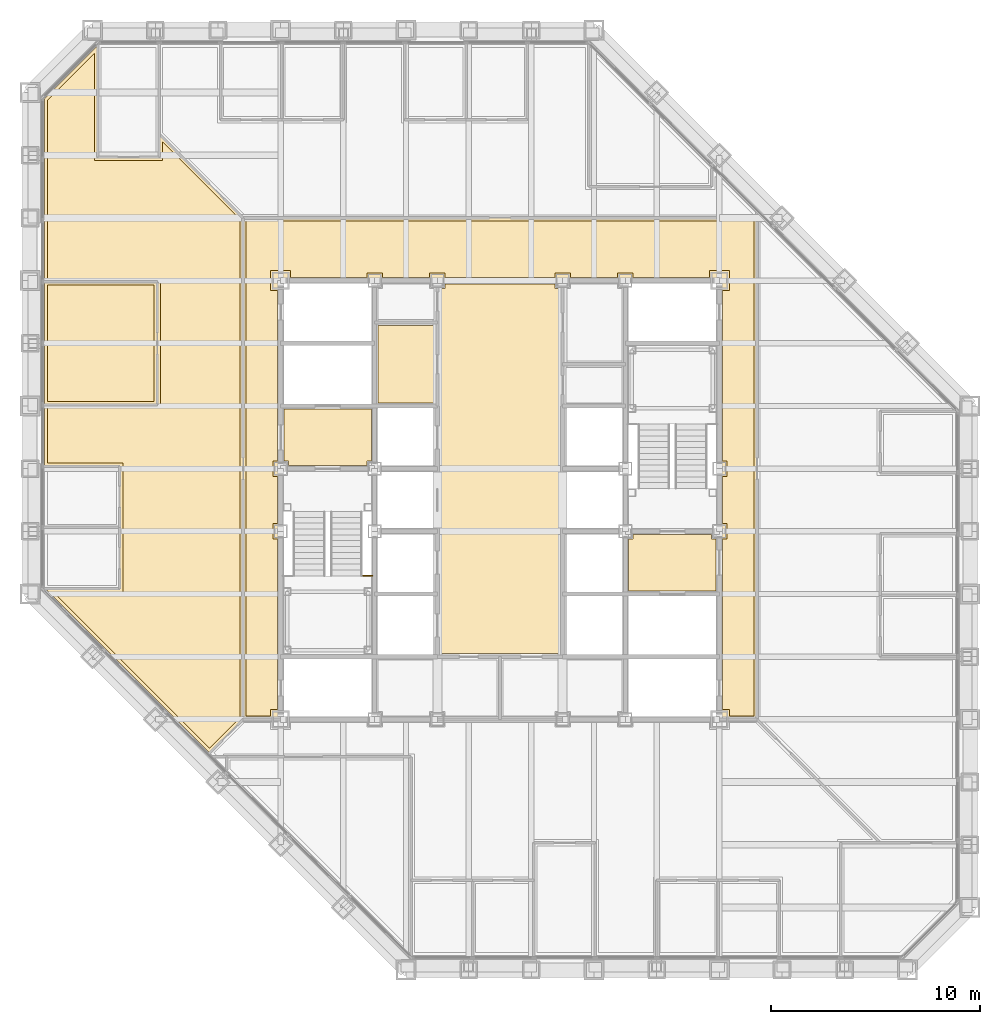
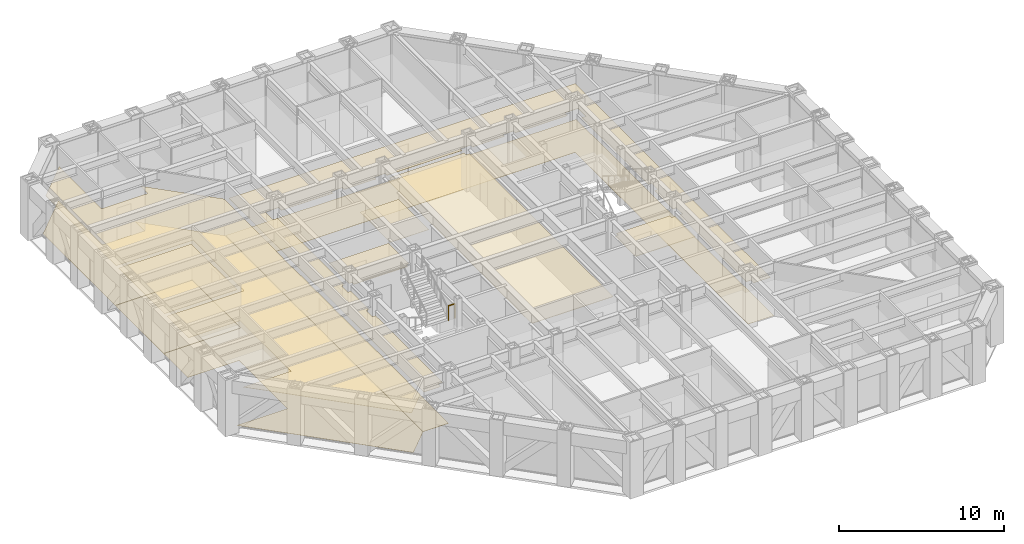
# One storey, part 15 of 17: 10 coverings, 1 railing.
"""IFC4 building model written with IfcOpenShell, lengths in metres."""

from ifc_helpers import new_model, si_unit, direction, frame, origin, origin_2d, place, context, subcontext, project, spatial, polyline, circle, outline, extrude, material, layer, layer_set, type_object, element, save


model = new_model("IFC4")

# Units and contexts
model_context = context("Model", 3, precision=1e-05, world=origin(), true_north=direction((0.0, 1.0)))
body_context = subcontext(model_context, "Body", "Model", "MODEL_VIEW")
ifc_project = project(units=[si_unit("LENGTHUNIT", "METRE"), si_unit("AREAUNIT", "SQUARE_METRE"), si_unit("VOLUMEUNIT", "CUBIC_METRE"), si_unit("PLANEANGLEUNIT", "RADIAN"), si_unit("MASSUNIT", "GRAM", prefix="KILO")], contexts=[model_context])

# Site, building, storey
site_placement = place(None, origin())
site = spatial("IfcSite", under=ifc_project, at=site_placement, CompositionType="ELEMENT")
building_placement = place(site_placement, origin())
building = spatial("IfcBuilding", under=site, at=building_placement, Name="Chuquiago Exchange Tower", CompositionType="ELEMENT")
storey_placement = place(building_placement, frame((0.0, 0.0, 165.60009765625)))
storey = spatial("IfcBuildingStorey", under=building, at=storey_placement, Name="L36", CompositionType="ELEMENT", Elevation=165.60009765625)

# Coverings
ifc_material_1 = material(Name="Mineral fibre tile, 600 x 600, on pale metal grid", Category="mineral fibre")
ifc_layer_1 = layer(ifc_material_1, 0.02001953125)
ifc_layer_set_1 = layer_set([ifc_layer_1], Name="CL1 suspended tile ceiling 20")
covering_type_1 = type_object("IfcCoveringType", Name="CL1 suspended tile ceiling 20", PredefinedType="CEILING", material=ifc_layer_set_1)
covering_1_placement = place(storey_placement, frame((0.0, 0.0, 2.7998046875)))
element("IfcCovering", 1, at=covering_1_placement, inside=storey, type_object=covering_type_1, Name="Ceiling Meeting room", PredefinedType="CEILING", context=body_context, shape_type="SweptSolid", body=[
    extrude(outline(polyline([(5.949951171875, 32.787841796875), (5.949951171875, 27.212158203125), (0.85009765625, 27.212158203125), (0.85009765625, 32.787841796875), (5.949951171875, 32.787841796875)])), origin(), (0.0, 0.0, 1.0), 0.02001953125),
])
covering_2_placement = place(storey_placement, frame((0.0, 0.0, 2.7998046875)))
element("IfcCovering", 2, at=covering_2_placement, inside=storey, type_object=covering_type_1, Name="Ceiling Circulation corridor", PredefinedType="CEILING", context=body_context, shape_type="SweptSolid", body=[
    extrude(outline(polyline([(10.35009765625, 12.14990234375), (10.35009765625, 35.85009765625), (34.64990234375, 35.85009765625), (34.64990234375, 12.14990234375), (33.47509765625, 12.14990234375), (33.47509765625, 12.47509765625), (33.14990234375, 12.47509765625), (33.14990234375, 20.625), (33.375, 20.625), (33.375, 21.375), (33.14990234375, 21.375), (33.14990234375, 23.625), (33.375, 23.625), (33.375, 24.375), (33.14990234375, 24.375), (33.14990234375, 32.52490234375), (33.47509765625, 32.52490234375), (33.47509765625, 33.47509765625), (32.52490234375, 33.47509765625), (32.52490234375, 33.14990234375), (28.875, 33.14990234375), (28.875, 33.375), (28.125, 33.375), (28.125, 33.14990234375), (25.875, 33.14990234375), (25.875, 33.375), (25.125, 33.375), (25.125, 33.14990234375), (19.875, 33.14990234375), (19.875, 33.375), (19.125, 33.375), (19.125, 33.14990234375), (16.875, 33.14990234375), (16.875, 33.375), (16.125, 33.375), (16.125, 33.14990234375), (12.47509765625, 33.14990234375), (12.47509765625, 33.47509765625), (11.52490234375, 33.47509765625), (11.52490234375, 32.52490234375), (11.85009765625, 32.52490234375), (11.85009765625, 24.375), (11.625, 24.375), (11.625, 23.625), (11.85009765625, 23.625), (11.85009765625, 21.375), (11.625, 21.375), (11.625, 20.625), (11.85009765625, 20.625), (11.85009765625, 12.47509765625), (11.52490234375, 12.47509765625), (11.52490234375, 12.14990234375), (10.35009765625, 12.14990234375)])), origin(), (0.0, 0.0, 1.0), 0.02001953125),
])
covering_3_placement = place(storey_placement, frame((0.0, 0.0, 2.7998046875)))
element("IfcCovering", 3, at=covering_3_placement, inside=storey, type_object=covering_type_1, Name="Ceiling Open office west", PredefinedType="CEILING", context=body_context, shape_type="SweptSolid", body=[
    extrude(outline(polyline([(3.098388671875, 38.75), (6.33642578125, 38.75), (6.33642578125, 39.65087890625), (10.050048828125, 35.9375), (10.050048828125, 12.0625), (8.594482421875, 10.607421875), (1.103515625, 18.098388671875), (4.449951171875, 18.098388671875), (4.449951171875, 24.2744140625), (0.85009765625, 24.2744140625), (0.85009765625, 26.912109375), (6.25, 26.912109375), (6.25, 33.087890625), (0.85009765625, 33.087890625), (0.85009765625, 41.64794921875), (3.098388671875, 43.896484375), (3.098388671875, 38.75)])), origin(), (0.0, 0.0, 1.0), 0.02001953125),
])
ifc_material_2 = material(Name="Moisture resistant plasterboard on metal frame", Category="gypsum")
ifc_layer_2 = layer(ifc_material_2, 0.014892578125)
ifc_layer_set_2 = layer_set([ifc_layer_2], Name="CL2 moisture resistant ceiling 15")
covering_type_2 = type_object("IfcCoveringType", Name="CL2 moisture resistant ceiling 15", PredefinedType="CEILING", material=ifc_layer_set_2)
covering_4_placement = place(storey_placement, frame((0.0, 0.0, 2.599853515625)))
element("IfcCovering", 4, at=covering_4_placement, inside=storey, type_object=covering_type_2, Name="Ceiling Male WC", PredefinedType="CEILING", context=body_context, shape_type="SweptSolid", body=[
    extrude(outline(polyline([(16.64990234375, 27.14990234375), (16.64990234375, 30.85009765625), (19.35009765625, 30.85009765625), (19.35009765625, 27.14990234375), (16.64990234375, 27.14990234375)])), origin(), (0.0, 0.0, 1.0), 0.01513671875),
])
ifc_material_3 = material(Name="Pale metal plank ceiling, perforated", Category="aluminium")
ifc_layer_3 = layer(ifc_material_3, 0.030029296875)
ifc_layer_set_3 = layer_set([ifc_layer_3], Name="CL3 metal plank ceiling 30")
covering_type_3 = type_object("IfcCoveringType", Name="CL3 metal plank ceiling 30", PredefinedType="CEILING", material=ifc_layer_set_3)
covering_5_placement = place(storey_placement, frame((0.0, 0.0, 2.7998046875)))
element("IfcCovering", 5, at=covering_5_placement, inside=storey, type_object=covering_type_3, Name="Ceiling Lift lobby", PredefinedType="CEILING", context=body_context, shape_type="SweptSolid", body=[
    extrude(outline(polyline([(19.64990234375, 15.14990234375), (19.64990234375, 32.625), (19.875, 32.625), (19.875, 32.85009765625), (25.125, 32.85009765625), (25.125, 32.625), (25.35009765625, 32.625), (25.35009765625, 15.14990234375), (19.64990234375, 15.14990234375)])), origin(), (0.0, 0.0, 1.0), 0.030029296875),
])
covering_6_placement = place(storey_placement, frame((0.0, 0.0, 2.7998046875)))
element("IfcCovering", 6, at=covering_6_placement, inside=storey, type_object=covering_type_3, Name="Ceiling Firefighting lobby", PredefinedType="CEILING", context=body_context, shape_type="SweptSolid", body=[
    extrude(outline(polyline([(12.375, 24.14990234375), (12.375, 24.375), (12.14990234375, 24.375), (12.14990234375, 26.85009765625), (16.35009765625, 26.85009765625), (16.35009765625, 24.375), (16.125, 24.375), (16.125, 24.14990234375), (12.375, 24.14990234375)])), origin(), (0.0, 0.0, 1.0), 0.030029296875),
])
covering_7_placement = place(storey_placement, frame((0.0, 0.0, 2.7998046875)))
element("IfcCovering", 7, at=covering_7_placement, inside=storey, type_object=covering_type_3, Name="Ceiling Firefighting lobby", PredefinedType="CEILING", context=body_context, shape_type="SweptSolid", body=[
    extrude(outline(polyline([(28.64990234375, 18.14990234375), (28.64990234375, 20.625), (28.875, 20.625), (28.875, 20.85009765625), (32.625, 20.85009765625), (32.625, 20.625), (32.85009765625, 20.625), (32.85009765625, 18.14990234375), (28.64990234375, 18.14990234375)])), origin(), (0.0, 0.0, 1.0), 0.030029296875),
])
ifc_material_4 = material(Name="Carpet tile, 500 x 500, on the floor slab", Category="textile")
ifc_layer_4 = layer(ifc_material_4, 0.010009765625)
ifc_layer_set_4 = layer_set([ifc_layer_4], Name="FL1 carpet tile 10")
covering_type_4 = type_object("IfcCoveringType", Name="FL1 carpet tile 10", PredefinedType="FLOORING", material=ifc_layer_set_4)
covering_8_placement = place(storey_placement, origin())
element("IfcCovering", 8, at=covering_8_placement, inside=storey, type_object=covering_type_4, Name="Floor finish Meeting room", PredefinedType="FLOORING", context=body_context, shape_type="SweptSolid", body=[
    extrude(outline(polyline([(0.699951171875, 32.93798828125), (6.10009765625, 32.93798828125), (6.10009765625, 27.06201171875), (0.699951171875, 27.06201171875), (0.699951171875, 32.93798828125)])), origin(), (0.0, 0.0, 1.0), 0.010009765625),
])
covering_9_placement = place(storey_placement, origin())
element("IfcCovering", 9, at=covering_9_placement, inside=storey, type_object=covering_type_4, Name="Floor finish Open office west", PredefinedType="FLOORING", context=body_context, shape_type="SweptSolid", body=[
    extrude(outline(polyline([(6.10009765625, 32.93798828125), (0.699951171875, 32.93798828125), (0.699951171875, 41.710205078125), (3.289794921875, 44.300048828125), (3.24853515625, 44.258544921875), (3.24853515625, 38.89990234375), (6.186279296875, 38.89990234375), (6.186279296875, 40.012939453125), (10.199951171875, 35.99951171875), (10.199951171875, 12.00048828125), (8.594482421875, 10.395263671875), (0.741455078125, 18.24853515625), (4.300048828125, 18.24853515625), (4.300048828125, 24.124267578125), (0.699951171875, 24.124267578125), (0.699951171875, 27.06201171875), (6.10009765625, 27.06201171875), (6.10009765625, 32.93798828125)])), origin(), (0.0, 0.0, 1.0), 0.010009765625),
])
ifc_material_5 = material(Name="Porcelain floor tile, 600 x 600, on adhesive bed", Category="ceramic")
ifc_layer_5 = layer(ifc_material_5, 0.014892578125)
ifc_layer_set_5 = layer_set([ifc_layer_5], Name="FL2 porcelain tile 15")
covering_type_5 = type_object("IfcCoveringType", Name="FL2 porcelain tile 15", PredefinedType="FLOORING", material=ifc_layer_set_5)
covering_10_placement = place(storey_placement, origin())
element("IfcCovering", 10, at=covering_10_placement, inside=storey, type_object=covering_type_5, Name="Floor finish Circulation corridor", PredefinedType="FLOORING", context=body_context, shape_type="SweptSolid", body=[
    extrude(outline(polyline([(12.0, 12.0), (10.199951171875, 12.0), (10.199951171875, 36.0), (34.800048828125, 36.0), (34.800048828125, 12.0), (33.0, 12.0), (33.0, 33.0), (12.0, 33.0), (12.0, 12.0)])), origin(), (0.0, 0.0, 1.0), 0.014892578125),
])

# Railing
ifc_material_6 = material(Name="Pale metal guard with safety glass infill", Category="glass")
railing_type = type_object("IfcRailingType", Name="GR1 guard 1100", PredefinedType="GUARDRAIL", material=ifc_material_6)
railing_placement = place(storey_placement, frame((15.945068359375, 18.8701171875, 2.099853515625)))
element("IfcRailing", 11, at=railing_placement, inside=storey, type_object=railing_type, Name="Guard ST1 L36 landing 2", PredefinedType="GUARDRAIL", context=body_context, shape_type="SweptSolid", body=[
    extrude(circle(Radius=0.02392578125, at=origin_2d()), frame((0.0, 0.0, 1.076171875), z_axis=(1.0, 0.0, 0.0), x_axis=(0.0, 1.0, 0.0)), (0.0, 0.0, 1.0), 0.454833984375),
    extrude(circle(Radius=0.02099609375, at=origin_2d()), origin(), (0.0, 0.0, 1.0), 1.052001953125),
    extrude(circle(Radius=0.02099609375, at=origin_2d()), frame((0.454833984375, 0.0, 0.0)), (0.0, 0.0, 1.0), 1.052001953125),
])

save(model, "model.ifc")
